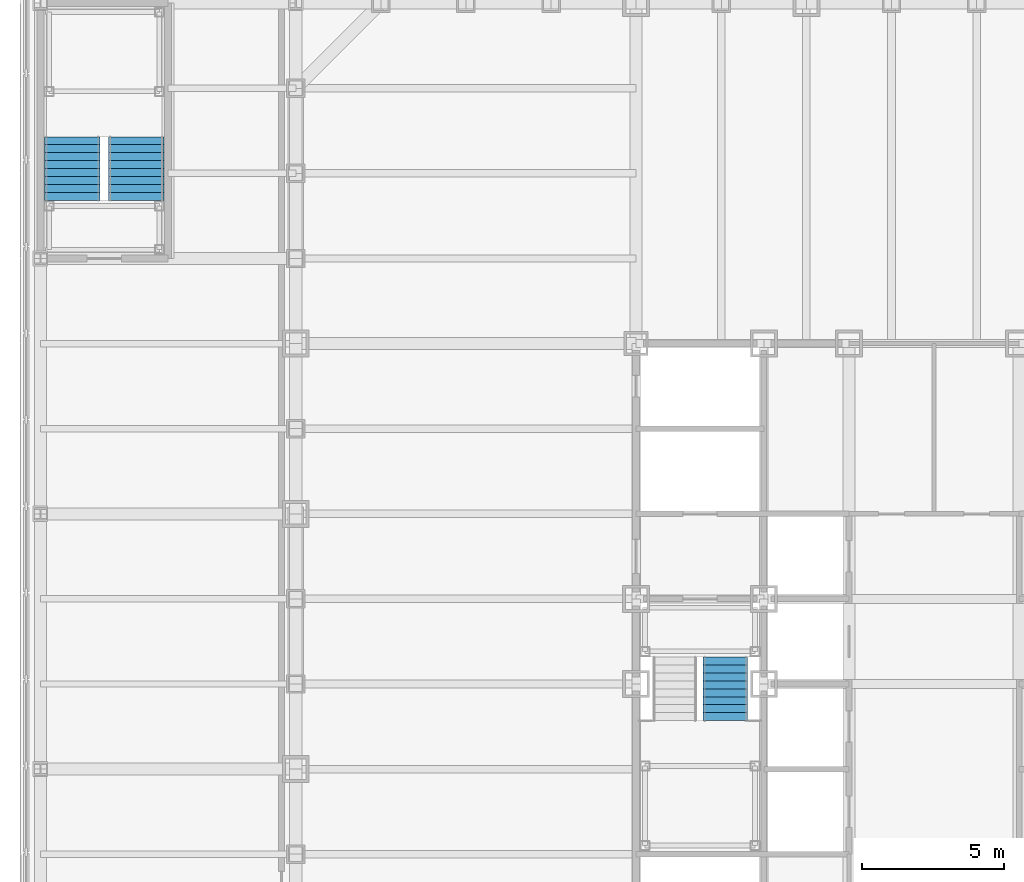
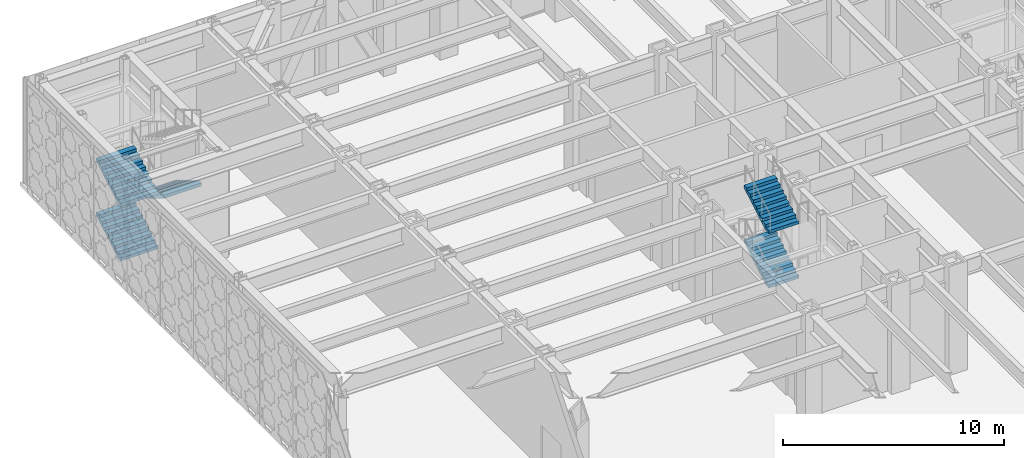
# One storey, part 20 of 32: 5 stair flights, 2 elements without a shape of their own.
"""IFC4 building model written with IfcOpenShell, lengths in metres."""

import ifcopenshell
import ifcopenshell.guid

model = None  # the IFC model being written
_history = None  # IfcOwnerHistory: only IFC2X3 demands one
_inside = {}  # id of a spatial element -> (the spatial element, [elements in it])
_under = {}  # id of a project, library or spatial element -> (it, [spatial elements below it])
_declared = {}  # id of a project -> (the project, [libraries it declares])
_typed = {}  # id of a type object -> (the type object, [elements of that type])
_made_of = {}  # id of a material, layer set ... -> (it, [elements and type objects made of it])


def new_model(schema):
    """Start an empty IFC model of exactly this schema.

    Asked for "IFC4X3", IfcOpenShell would pick the latest addendum, in which some entities
    have other attributes; the version numbers below select the first issue.
    IFC2X3 requires an IfcOwnerHistory on every rooted entity: one is made here for all.
    """
    global model, _history
    if schema == "IFC4X3":
        model = ifcopenshell.file(schema_version=(4, 3, 0, 0))
    else:
        model = ifcopenshell.file(schema=schema)
    _inside.clear()
    _under.clear()
    _declared.clear()
    _typed.clear()
    _made_of.clear()
    _history = None
    if model.schema == "IFC2X3":
        org = make("IfcOrganization", Name="unknown")
        user = make(
            "IfcPersonAndOrganization",
            ThePerson=make("IfcPerson", FamilyName="unknown"),
            TheOrganization=org,
        )
        app = make(
            "IfcApplication",
            ApplicationDeveloper=org,
            Version="unknown",
            ApplicationFullName="unknown",
            ApplicationIdentifier="unknown",
        )
        _history = make(
            "IfcOwnerHistory",
            OwningUser=user,
            OwningApplication=app,
            ChangeAction="ADDED",
            CreationDate=0,
        )
    return model


def make(cls, **values):
    """One entity of the class cls with the attributes given. An attribute that is None is left unset."""
    return model.create_entity(
        cls, **{name: value for name, value in values.items() if value is not None}
    )


def rooted(cls, **values):
    """An entity with a GlobalId (a new one), such as an element, a storey or a relation."""
    return make(cls, GlobalId=ifcopenshell.guid.new(), OwnerHistory=_history, **values)


def si_unit(unit_type, name, prefix=None):
    """IfcSIUnit, for example si_unit("LENGTHUNIT", "METRE", prefix="MILLI")."""
    return make("IfcSIUnit", UnitType=unit_type, Prefix=prefix, Name=name)


def assignment(units):
    """IfcUnitAssignment: the units of a project."""
    return None if units is None else make("IfcUnitAssignment", Units=units)


def point(xyz):
    """IfcCartesianPoint."""
    return None if xyz is None else make("IfcCartesianPoint", Coordinates=xyz)


def direction(xyz):
    """IfcDirection."""
    return None if xyz is None else make("IfcDirection", DirectionRatios=xyz)


def frame(location, z_axis=None, x_axis=None):
    """IfcAxis2Placement3D, a coordinate frame: its origin and axes. An axis left out is left unset."""
    return make(
        "IfcAxis2Placement3D",
        Location=point(location),
        Axis=direction(z_axis),
        RefDirection=direction(x_axis),
    )


def origin():
    """The frame at (0, 0, 0) with its axes left unset."""
    return frame((0.0, 0.0, 0.0))


def place(relative_to, where):
    """IfcLocalPlacement: puts the frame where relative to a parent placement (None: the world)."""
    return make(
        "IfcLocalPlacement", PlacementRelTo=relative_to, RelativePlacement=where
    )


def context(
    kind, dimensions, precision=None, world=None, true_north=None, identifier=None
):
    """IfcGeometricRepresentationContext, for example the 3D "Model" context."""
    return make(
        "IfcGeometricRepresentationContext",
        ContextIdentifier=identifier,
        ContextType=kind,
        CoordinateSpaceDimension=dimensions,
        Precision=precision,
        WorldCoordinateSystem=world,
        TrueNorth=true_north,
    )


def subcontext(parent, identifier, kind, view, scale=None):
    """IfcGeometricRepresentationSubContext, for example "Body" below "Model"."""
    return make(
        "IfcGeometricRepresentationSubContext",
        ContextIdentifier=identifier,
        ContextType=kind,
        ParentContext=parent,
        TargetScale=scale,
        TargetView=view,
    )


def project(units=None, contexts=None):
    """IfcProject with its units and contexts."""
    return rooted(
        "IfcProject",
        Name="project",
        RepresentationContexts=contexts,
        UnitsInContext=assignment(units),
    )


def spatial(cls, under=None, at=None, **own):
    """A site, building, storey or space (cls), placed at a placement, below another one or the project."""
    s = rooted(cls, ObjectPlacement=at, **own)
    if under is not None:
        _under.setdefault(under.id(), (under, []))[1].append(s)
    return s


def faces_of(points, faces, orient=None, outer=None):
    """IfcFace entities. A face is a list of loops; a loop is a list of indices into points, from 0.

    orient and outer hold one flag for each loop. By default every Orientation is true, the
    first loop of a face is its IfcFaceOuterBound and the others are IfcFaceBound.
    """
    made = []
    for i, loops in enumerate(faces):
        bounds = []
        for j, loop in enumerate(loops):
            is_outer = j == 0 if outer is None else outer[i][j]
            bounds.append(
                make(
                    "IfcFaceOuterBound" if is_outer else "IfcFaceBound",
                    Bound=make("IfcPolyLoop", Polygon=[points[k] for k in loop]),
                    Orientation=True if orient is None else orient[i][j],
                )
            )
        made.append(make("IfcFace", Bounds=bounds))
    return made


def faceted_brep(points, faces, orient=None, outer=None, voids=None):
    """IfcFacetedBrep: a solid bounded by flat faces; with voids (closed shells), ...WithVoids."""
    shared = [point(p) for p in points]
    hull = make("IfcClosedShell", CfsFaces=faces_of(shared, faces, orient, outer))
    if voids is None:
        return make("IfcFacetedBrep", Outer=hull)
    return make(
        "IfcFacetedBrepWithVoids",
        Outer=hull,
        Voids=[
            make(cls, CfsFaces=faces_of(shared, fs, o, b)) for cls, fs, o, b in voids
        ],
    )


def shape(context_of_items, identifier, shape_type, items):
    """IfcShapeRepresentation: the items that make up one representation, for example the "Body"."""
    return make(
        "IfcShapeRepresentation",
        ContextOfItems=context_of_items,
        RepresentationIdentifier=identifier,
        RepresentationType=shape_type,
        Items=items,
    )


def material(Name=None, Category=None):
    """IfcMaterial."""
    return make("IfcMaterial", Name=Name, Category=Category)


def made_of(thing, what):
    """Note that an element or type object is made of a material, layer set ...; save() writes the relation."""
    if what is not None:
        _made_of.setdefault(what.id(), (what, []))[1].append(thing)
    return thing


def type_object(cls, material=None, **own):
    """A type object (cls), such as IfcWallType, which elements share."""
    return made_of(rooted(cls, **own), material)


def element(
    cls,
    number,
    at=None,
    inside=None,
    cuts=None,
    type_object=None,
    material=None,
    context=None,
    identifier="Body",
    shape_type=None,
    held_by="IfcProductDefinitionShape",
    body=None,
    shapes=None,
    **own,
):
    """One element of the class cls, such as IfcWall. Its Tag is "e" and its number.

    at: its placement. inside: the storey or other place that contains it. cuts: it is an
    opening in that element (IfcRelVoidsElement). A single representation is given by context,
    identifier, shape_type and body (its items); several are given by shapes. held_by: the class
    of the entity that holds the representations. save() writes the other relations.
    """
    e = rooted(cls, Tag="e%d" % number, ObjectPlacement=at, **own)
    if body is not None:
        shapes = [shape(context, identifier, shape_type, body)]
    if shapes is not None:
        e.Representation = make(held_by, Representations=shapes)
    if inside is not None:
        _inside.setdefault(inside.id(), (inside, []))[1].append(e)
    if cuts is not None:
        rooted(
            "IfcRelVoidsElement", RelatingBuildingElement=cuts, RelatedOpeningElement=e
        )
    if type_object is not None:
        _typed.setdefault(type_object.id(), (type_object, []))[1].append(e)
    return made_of(e, material)


def aggregate(whole, parts):
    """IfcRelAggregates: a whole, such as a stair, and the parts it consists of."""
    return rooted("IfcRelAggregates", RelatingObject=whole, RelatedObjects=parts)


def save(model, path):
    """Write the relations noted so far, then the file.

    IfcRelAggregates (storeys below a building ...), IfcRelContainedInSpatialStructure (elements
    in a storey), IfcRelDefinesByType, IfcRelAssociatesMaterial and IfcRelDeclares: one each for
    every whole, place, type object, material and project.
    """
    for whole, parts in _under.values():
        aggregate(whole, parts)
    for where, things in _inside.values():
        rooted(
            "IfcRelContainedInSpatialStructure",
            RelatedElements=things,
            RelatingStructure=where,
        )
    for kind, things in _typed.values():
        rooted("IfcRelDefinesByType", RelatedObjects=things, RelatingType=kind)
    for what, things in _made_of.values():
        rooted("IfcRelAssociatesMaterial", RelatedObjects=things, RelatingMaterial=what)
    for by, libraries in _declared.values():
        rooted("IfcRelDeclares", RelatingContext=by, RelatedDefinitions=libraries)
    model.write(path)


model = new_model("IFC4")

# Units and contexts
model_context = context("Model", 3, precision=1e-05, world=origin(), true_north=direction((0.0, 1.0)))
body_context = subcontext(model_context, "Body", "Model", "MODEL_VIEW")
ifc_project = project(units=[si_unit("LENGTHUNIT", "METRE"), si_unit("AREAUNIT", "SQUARE_METRE"), si_unit("VOLUMEUNIT", "CUBIC_METRE"), si_unit("PLANEANGLEUNIT", "RADIAN"), si_unit("MASSUNIT", "GRAM", prefix="KILO")], contexts=[model_context])

# Site, building, storey
site_placement = place(None, origin())
site = spatial("IfcSite", under=ifc_project, at=site_placement, CompositionType="ELEMENT")
building_placement = place(site_placement, origin())
building = spatial("IfcBuilding", under=site, at=building_placement, Name="Chuquiago Exchange Tower", CompositionType="ELEMENT")
storey_placement = place(building_placement, frame((0.0, 0.0, 13.5)))
storey = spatial("IfcBuildingStorey", under=building, at=storey_placement, Name="L02", CompositionType="ELEMENT", Elevation=13.5)

# Stair, stair flights
ifc_material_1 = material(Name="Concrete C30/37, precast", Category="concrete")
stair_type_1 = type_object("IfcStairType", Name="ST1 double half-turn stair 6000", PredefinedType="DOUBLE_RETURN_STAIR", material=ifc_material_1)
stair_1_placement = place(storey_placement, origin())
stair_1 = element("IfcStair", 1, at=stair_1_placement, inside=storey, type_object=stair_type_1, Name="Stair ST1 L02", PredefinedType="DOUBLE_RETURN_STAIR")
ifc_material_2 = material(Name="Concrete C30/37, precast", Category="concrete")
stair_flight_type_1 = type_object("IfcStairFlightType", Name="ST-F flight 1570 for 6000 storey", PredefinedType="STRAIGHT", material=ifc_material_2)
stair_flight_1_placement = place(storey_placement, frame((15.139892578125, 19.7099609375, 1.5), z_axis=(0.0, 0.0, 1.0), x_axis=(0.0, 1.0, 0.0)))
stair_flight_1 = element("IfcStairFlight", 2, at=stair_flight_1_placement, type_object=stair_flight_type_1, Name="ST1 flight 2", NumberOfRisers=9, NumberOfTreads=8, PredefinedType="STRAIGHT", RiserHeight=0.166666667, TreadLength=0.28, context=body_context, shape_type="Brep", body=[
    faceted_brep([(0.0, 0.78515625, 0.0), (0.0, 0.78515625, 0.166748046875), (0.280029296875, 0.78515625, 0.166748046875), (0.280029296875, 0.78515625, 0.333251953125), (0.56005859375, 0.78515625, 0.333251953125), (0.56005859375, 0.78515625, 0.5), (0.840087890625, 0.78515625, 0.5), (0.840087890625, 0.78515625, 0.666748046875), (1.1201171875, 0.78515625, 0.666748046875), (1.1201171875, 0.78515625, 0.833251953125), (1.39990234375, 0.78515625, 0.833251953125), (1.39990234375, 0.78515625, 1.0), (1.679931640625, 0.78515625, 1.0), (1.679931640625, 0.78515625, 1.166748046875), (1.9599609375, 0.78515625, 1.166748046875), (1.9599609375, 0.78515625, 1.333251953125), (2.239990234375, 0.78515625, 1.333251953125), (2.239990234375, 0.78515625, 1.158935546875), (0.29296875, 0.78515625, 0.0), (0.29296875, -0.78515625, 0.0), (2.239990234375, -0.78515625, 1.158935546875), (2.239990234375, -0.78515625, 1.333251953125), (1.9599609375, -0.78515625, 1.333251953125), (1.9599609375, -0.78515625, 1.166748046875), (1.679931640625, -0.78515625, 1.166748046875), (1.679931640625, -0.78515625, 1.0), (1.39990234375, -0.78515625, 1.0), (1.39990234375, -0.78515625, 0.833251953125), (1.1201171875, -0.78515625, 0.833251953125), (1.1201171875, -0.78515625, 0.666748046875), (0.840087890625, -0.78515625, 0.666748046875), (0.840087890625, -0.78515625, 0.5), (0.56005859375, -0.78515625, 0.5), (0.56005859375, -0.78515625, 0.333251953125), (0.280029296875, -0.78515625, 0.333251953125), (0.280029296875, -0.78515625, 0.166748046875), (0.0, -0.78515625, 0.166748046875), (0.0, -0.78515625, 0.0), (0.0, 0.392578125, 0.0), (0.0, 0.392578125, 0.166748046875), (0.0, 0.0, 0.0), (0.0, 0.0, 0.166748046875), (0.0, -0.392578125, 0.0), (0.0, -0.392578125, 0.166748046875), (0.280029296875, 0.392578125, 0.166748046875), (0.280029296875, 0.0, 0.166748046875), (0.280029296875, -0.392578125, 0.166748046875), (0.280029296875, 0.392578125, 0.333251953125), (0.280029296875, 0.0, 0.333251953125), (0.280029296875, -0.392578125, 0.333251953125), (0.56005859375, 0.392578125, 0.333251953125), (0.56005859375, 0.0, 0.333251953125), (0.56005859375, -0.392578125, 0.333251953125), (0.56005859375, 0.392578125, 0.5), (0.56005859375, 0.0, 0.5), (0.56005859375, -0.392578125, 0.5), (0.840087890625, 0.392578125, 0.5), (0.840087890625, 0.0, 0.5), (0.840087890625, -0.392578125, 0.5), (0.840087890625, 0.392578125, 0.666748046875), (0.840087890625, 0.0, 0.666748046875), (0.840087890625, -0.392578125, 0.666748046875), (1.1201171875, 0.392578125, 0.666748046875), (1.1201171875, 0.0, 0.666748046875), (1.1201171875, -0.392578125, 0.666748046875), (1.1201171875, 0.392578125, 0.833251953125), (1.1201171875, 0.0, 0.833251953125), (1.1201171875, -0.392578125, 0.833251953125), (1.39990234375, 0.392578125, 0.833251953125), (1.39990234375, 0.0, 0.833251953125), (1.39990234375, -0.392578125, 0.833251953125), (1.39990234375, 0.392578125, 1.0), (1.39990234375, 0.0, 1.0), (1.39990234375, -0.392578125, 1.0), (1.679931640625, 0.392578125, 1.0), (1.679931640625, 0.0, 1.0), (1.679931640625, -0.392578125, 1.0), (1.679931640625, 0.392578125, 1.166748046875), (1.679931640625, 0.0, 1.166748046875), (1.679931640625, -0.392578125, 1.166748046875), (1.9599609375, 0.392578125, 1.166748046875), (1.9599609375, 0.0, 1.166748046875), (1.9599609375, -0.392578125, 1.166748046875), (1.9599609375, 0.392578125, 1.333251953125), (1.9599609375, 0.0, 1.333251953125), (1.9599609375, -0.392578125, 1.333251953125), (2.239990234375, 0.392578125, 1.333251953125), (2.239990234375, 0.0, 1.333251953125), (2.239990234375, -0.392578125, 1.333251953125), (2.239990234375, 0.392578125, 1.158935546875), (2.239990234375, 0.0, 1.158935546875), (2.239990234375, -0.392578125, 1.158935546875), (0.29296875, 0.392578125, 0.0), (0.29296875, 0.0, 0.0), (0.29296875, -0.392578125, 0.0)], [[[0, 1, 2, 3, 4, 5, 6, 7, 8, 9, 10, 11, 12, 13, 14, 15, 16, 17, 18]], [[19, 20, 21, 22, 23, 24, 25, 26, 27, 28, 29, 30, 31, 32, 33, 34, 35, 36, 37]], [[1, 0, 38, 39]], [[39, 38, 40, 41]], [[41, 40, 42, 43]], [[43, 42, 37, 36]], [[2, 1, 39, 44]], [[44, 39, 41, 45]], [[45, 41, 43, 46]], [[46, 43, 36, 35]], [[3, 2, 44, 47]], [[47, 44, 45, 48]], [[48, 45, 46, 49]], [[49, 46, 35, 34]], [[4, 3, 47, 50]], [[50, 47, 48, 51]], [[51, 48, 49, 52]], [[52, 49, 34, 33]], [[5, 4, 50, 53]], [[53, 50, 51, 54]], [[54, 51, 52, 55]], [[55, 52, 33, 32]], [[6, 5, 53, 56]], [[56, 53, 54, 57]], [[57, 54, 55, 58]], [[58, 55, 32, 31]], [[7, 6, 56, 59]], [[59, 56, 57, 60]], [[60, 57, 58, 61]], [[61, 58, 31, 30]], [[8, 7, 59, 62]], [[62, 59, 60, 63]], [[63, 60, 61, 64]], [[64, 61, 30, 29]], [[9, 8, 62, 65]], [[65, 62, 63, 66]], [[66, 63, 64, 67]], [[67, 64, 29, 28]], [[10, 9, 65, 68]], [[68, 65, 66, 69]], [[69, 66, 67, 70]], [[70, 67, 28, 27]], [[11, 10, 68, 71]], [[71, 68, 69, 72]], [[72, 69, 70, 73]], [[73, 70, 27, 26]], [[12, 11, 71, 74]], [[74, 71, 72, 75]], [[75, 72, 73, 76]], [[76, 73, 26, 25]], [[13, 12, 74, 77]], [[77, 74, 75, 78]], [[78, 75, 76, 79]], [[79, 76, 25, 24]], [[14, 13, 77, 80]], [[80, 77, 78, 81]], [[81, 78, 79, 82]], [[82, 79, 24, 23]], [[15, 14, 80, 83]], [[83, 80, 81, 84]], [[84, 81, 82, 85]], [[85, 82, 23, 22]], [[16, 15, 83, 86]], [[86, 83, 84, 87]], [[87, 84, 85, 88]], [[88, 85, 22, 21]], [[17, 16, 86, 89]], [[89, 86, 87, 90]], [[90, 87, 88, 91]], [[91, 88, 21, 20]], [[18, 17, 89, 92]], [[92, 89, 90, 93]], [[93, 90, 91, 94]], [[94, 91, 20, 19]], [[0, 18, 92, 38]], [[38, 92, 93, 40]], [[40, 93, 94, 42]], [[42, 94, 19, 37]]]),
])
stair_flight_2_placement = place(storey_placement, frame((15.139892578125, 19.7099609375, 4.5), z_axis=(0.0, 0.0, 1.0), x_axis=(0.0, 1.0, 0.0)))
stair_flight_2 = element("IfcStairFlight", 3, at=stair_flight_2_placement, type_object=stair_flight_type_1, Name="ST1 flight 4", NumberOfRisers=9, NumberOfTreads=8, PredefinedType="STRAIGHT", RiserHeight=0.166666667, TreadLength=0.28, context=body_context, shape_type="Brep", body=[
    faceted_brep([(0.0, 0.78515625, 0.0), (0.0, 0.78515625, 0.166748046875), (0.280029296875, 0.78515625, 0.166748046875), (0.280029296875, 0.78515625, 0.333251953125), (0.56005859375, 0.78515625, 0.333251953125), (0.56005859375, 0.78515625, 0.5), (0.840087890625, 0.78515625, 0.5), (0.840087890625, 0.78515625, 0.666748046875), (1.1201171875, 0.78515625, 0.666748046875), (1.1201171875, 0.78515625, 0.833251953125), (1.39990234375, 0.78515625, 0.833251953125), (1.39990234375, 0.78515625, 1.0), (1.679931640625, 0.78515625, 1.0), (1.679931640625, 0.78515625, 1.166748046875), (1.9599609375, 0.78515625, 1.166748046875), (1.9599609375, 0.78515625, 1.333251953125), (2.239990234375, 0.78515625, 1.333251953125), (2.239990234375, 0.78515625, 1.158935546875), (0.29296875, 0.78515625, 0.0), (0.29296875, -0.78515625, 0.0), (2.239990234375, -0.78515625, 1.158935546875), (2.239990234375, -0.78515625, 1.333251953125), (1.9599609375, -0.78515625, 1.333251953125), (1.9599609375, -0.78515625, 1.166748046875), (1.679931640625, -0.78515625, 1.166748046875), (1.679931640625, -0.78515625, 1.0), (1.39990234375, -0.78515625, 1.0), (1.39990234375, -0.78515625, 0.833251953125), (1.1201171875, -0.78515625, 0.833251953125), (1.1201171875, -0.78515625, 0.666748046875), (0.840087890625, -0.78515625, 0.666748046875), (0.840087890625, -0.78515625, 0.5), (0.56005859375, -0.78515625, 0.5), (0.56005859375, -0.78515625, 0.333251953125), (0.280029296875, -0.78515625, 0.333251953125), (0.280029296875, -0.78515625, 0.166748046875), (0.0, -0.78515625, 0.166748046875), (0.0, -0.78515625, 0.0), (0.0, 0.392578125, 0.0), (0.0, 0.392578125, 0.166748046875), (0.0, 0.0, 0.0), (0.0, 0.0, 0.166748046875), (0.0, -0.392578125, 0.0), (0.0, -0.392578125, 0.166748046875), (0.280029296875, 0.392578125, 0.166748046875), (0.280029296875, 0.0, 0.166748046875), (0.280029296875, -0.392578125, 0.166748046875), (0.280029296875, 0.392578125, 0.333251953125), (0.280029296875, 0.0, 0.333251953125), (0.280029296875, -0.392578125, 0.333251953125), (0.56005859375, 0.392578125, 0.333251953125), (0.56005859375, 0.0, 0.333251953125), (0.56005859375, -0.392578125, 0.333251953125), (0.56005859375, 0.392578125, 0.5), (0.56005859375, 0.0, 0.5), (0.56005859375, -0.392578125, 0.5), (0.840087890625, 0.392578125, 0.5), (0.840087890625, 0.0, 0.5), (0.840087890625, -0.392578125, 0.5), (0.840087890625, 0.392578125, 0.666748046875), (0.840087890625, 0.0, 0.666748046875), (0.840087890625, -0.392578125, 0.666748046875), (1.1201171875, 0.392578125, 0.666748046875), (1.1201171875, 0.0, 0.666748046875), (1.1201171875, -0.392578125, 0.666748046875), (1.1201171875, 0.392578125, 0.833251953125), (1.1201171875, 0.0, 0.833251953125), (1.1201171875, -0.392578125, 0.833251953125), (1.39990234375, 0.392578125, 0.833251953125), (1.39990234375, 0.0, 0.833251953125), (1.39990234375, -0.392578125, 0.833251953125), (1.39990234375, 0.392578125, 1.0), (1.39990234375, 0.0, 1.0), (1.39990234375, -0.392578125, 1.0), (1.679931640625, 0.392578125, 1.0), (1.679931640625, 0.0, 1.0), (1.679931640625, -0.392578125, 1.0), (1.679931640625, 0.392578125, 1.166748046875), (1.679931640625, 0.0, 1.166748046875), (1.679931640625, -0.392578125, 1.166748046875), (1.9599609375, 0.392578125, 1.166748046875), (1.9599609375, 0.0, 1.166748046875), (1.9599609375, -0.392578125, 1.166748046875), (1.9599609375, 0.392578125, 1.333251953125), (1.9599609375, 0.0, 1.333251953125), (1.9599609375, -0.392578125, 1.333251953125), (2.239990234375, 0.392578125, 1.333251953125), (2.239990234375, 0.0, 1.333251953125), (2.239990234375, -0.392578125, 1.333251953125), (2.239990234375, 0.392578125, 1.158935546875), (2.239990234375, 0.0, 1.158935546875), (2.239990234375, -0.392578125, 1.158935546875), (0.29296875, 0.392578125, 0.0), (0.29296875, 0.0, 0.0), (0.29296875, -0.392578125, 0.0)], [[[0, 1, 2, 3, 4, 5, 6, 7, 8, 9, 10, 11, 12, 13, 14, 15, 16, 17, 18]], [[19, 20, 21, 22, 23, 24, 25, 26, 27, 28, 29, 30, 31, 32, 33, 34, 35, 36, 37]], [[1, 0, 38, 39]], [[39, 38, 40, 41]], [[41, 40, 42, 43]], [[43, 42, 37, 36]], [[2, 1, 39, 44]], [[44, 39, 41, 45]], [[45, 41, 43, 46]], [[46, 43, 36, 35]], [[3, 2, 44, 47]], [[47, 44, 45, 48]], [[48, 45, 46, 49]], [[49, 46, 35, 34]], [[4, 3, 47, 50]], [[50, 47, 48, 51]], [[51, 48, 49, 52]], [[52, 49, 34, 33]], [[5, 4, 50, 53]], [[53, 50, 51, 54]], [[54, 51, 52, 55]], [[55, 52, 33, 32]], [[6, 5, 53, 56]], [[56, 53, 54, 57]], [[57, 54, 55, 58]], [[58, 55, 32, 31]], [[7, 6, 56, 59]], [[59, 56, 57, 60]], [[60, 57, 58, 61]], [[61, 58, 31, 30]], [[8, 7, 59, 62]], [[62, 59, 60, 63]], [[63, 60, 61, 64]], [[64, 61, 30, 29]], [[9, 8, 62, 65]], [[65, 62, 63, 66]], [[66, 63, 64, 67]], [[67, 64, 29, 28]], [[10, 9, 65, 68]], [[68, 65, 66, 69]], [[69, 66, 67, 70]], [[70, 67, 28, 27]], [[11, 10, 68, 71]], [[71, 68, 69, 72]], [[72, 69, 70, 73]], [[73, 70, 27, 26]], [[12, 11, 71, 74]], [[74, 71, 72, 75]], [[75, 72, 73, 76]], [[76, 73, 26, 25]], [[13, 12, 74, 77]], [[77, 74, 75, 78]], [[78, 75, 76, 79]], [[79, 76, 25, 24]], [[14, 13, 77, 80]], [[80, 77, 78, 81]], [[81, 78, 79, 82]], [[82, 79, 24, 23]], [[15, 14, 80, 83]], [[83, 80, 81, 84]], [[84, 81, 82, 85]], [[85, 82, 23, 22]], [[16, 15, 83, 86]], [[86, 83, 84, 87]], [[87, 84, 85, 88]], [[88, 85, 22, 21]], [[17, 16, 86, 89]], [[89, 86, 87, 90]], [[90, 87, 88, 91]], [[91, 88, 21, 20]], [[18, 17, 89, 92]], [[92, 89, 90, 93]], [[93, 90, 91, 94]], [[94, 91, 20, 19]], [[0, 18, 92, 38]], [[38, 92, 93, 40]], [[40, 93, 94, 42]], [[42, 94, 19, 37]]]),
])
aggregate(stair_1, [stair_flight_1, stair_flight_2])

ifc_material_3 = material(Name="Concrete C30/37, precast", Category="concrete")
stair_type_2 = type_object("IfcStairType", Name="PS3 double half-turn stair 6000", PredefinedType="DOUBLE_RETURN_STAIR", material=ifc_material_3)
stair_2_placement = place(storey_placement, origin())
stair_2 = element("IfcStair", 4, at=stair_2_placement, inside=storey, type_object=stair_type_2, Name="Stair PS3 L02", PredefinedType="DOUBLE_RETURN_STAIR")
ifc_material_4 = material(Name="Concrete C30/37, precast", Category="concrete")
stair_flight_type_2 = type_object("IfcStairFlightType", Name="ST-F flight 1950 for 6000 storey", PredefinedType="STRAIGHT", material=ifc_material_4)
stair_flight_3_placement = place(storey_placement, frame((-7.875, 38.050048828125, 0.0), z_axis=(0.0, 0.0, 1.0), x_axis=(0.0, 1.0, 0.0)))
stair_flight_3 = element("IfcStairFlight", 5, at=stair_flight_3_placement, type_object=stair_flight_type_2, Name="PS3 flight 1", NumberOfRisers=9, NumberOfTreads=8, PredefinedType="STRAIGHT", RiserHeight=0.166666667, TreadLength=0.28, context=body_context, shape_type="Brep", body=[
    faceted_brep([(0.0, 0.97509765625, 0.0), (0.0, 0.97509765625, 0.166748046875), (0.280029296875, 0.97509765625, 0.166748046875), (0.280029296875, 0.97509765625, 0.333251953125), (0.56005859375, 0.97509765625, 0.333251953125), (0.56005859375, 0.97509765625, 0.5), (0.840087890625, 0.97509765625, 0.5), (0.840087890625, 0.97509765625, 0.666748046875), (1.1201171875, 0.97509765625, 0.666748046875), (1.1201171875, 0.97509765625, 0.833251953125), (1.39990234375, 0.97509765625, 0.833251953125), (1.39990234375, 0.97509765625, 1.0), (1.679931640625, 0.97509765625, 1.0), (1.679931640625, 0.97509765625, 1.166748046875), (1.9599609375, 0.97509765625, 1.166748046875), (1.9599609375, 0.97509765625, 1.333251953125), (2.239990234375, 0.97509765625, 1.333251953125), (2.239990234375, 0.97509765625, 1.158935546875), (0.29296875, 0.97509765625, 0.0), (0.29296875, -0.97509765625, 0.0), (2.239990234375, -0.97509765625, 1.158935546875), (2.239990234375, -0.97509765625, 1.333251953125), (1.9599609375, -0.97509765625, 1.333251953125), (1.9599609375, -0.97509765625, 1.166748046875), (1.679931640625, -0.97509765625, 1.166748046875), (1.679931640625, -0.97509765625, 1.0), (1.39990234375, -0.97509765625, 1.0), (1.39990234375, -0.97509765625, 0.833251953125), (1.1201171875, -0.97509765625, 0.833251953125), (1.1201171875, -0.97509765625, 0.666748046875), (0.840087890625, -0.97509765625, 0.666748046875), (0.840087890625, -0.97509765625, 0.5), (0.56005859375, -0.97509765625, 0.5), (0.56005859375, -0.97509765625, 0.333251953125), (0.280029296875, -0.97509765625, 0.333251953125), (0.280029296875, -0.97509765625, 0.166748046875), (0.0, -0.97509765625, 0.166748046875), (0.0, -0.97509765625, 0.0), (0.0, 0.487548828125, 0.0), (0.0, 0.487548828125, 0.166748046875), (0.0, 0.0, 0.0), (0.0, 0.0, 0.166748046875), (0.0, -0.487548828125, 0.0), (0.0, -0.487548828125, 0.166748046875), (0.280029296875, 0.487548828125, 0.166748046875), (0.280029296875, 0.0, 0.166748046875), (0.280029296875, -0.487548828125, 0.166748046875), (0.280029296875, 0.487548828125, 0.333251953125), (0.280029296875, 0.0, 0.333251953125), (0.280029296875, -0.487548828125, 0.333251953125), (0.56005859375, 0.487548828125, 0.333251953125), (0.56005859375, 0.0, 0.333251953125), (0.56005859375, -0.487548828125, 0.333251953125), (0.56005859375, 0.487548828125, 0.5), (0.56005859375, 0.0, 0.5), (0.56005859375, -0.487548828125, 0.5), (0.840087890625, 0.487548828125, 0.5), (0.840087890625, 0.0, 0.5), (0.840087890625, -0.487548828125, 0.5), (0.840087890625, 0.487548828125, 0.666748046875), (0.840087890625, 0.0, 0.666748046875), (0.840087890625, -0.487548828125, 0.666748046875), (1.1201171875, 0.487548828125, 0.666748046875), (1.1201171875, 0.0, 0.666748046875), (1.1201171875, -0.487548828125, 0.666748046875), (1.1201171875, 0.487548828125, 0.833251953125), (1.1201171875, 0.0, 0.833251953125), (1.1201171875, -0.487548828125, 0.833251953125), (1.39990234375, 0.487548828125, 0.833251953125), (1.39990234375, 0.0, 0.833251953125), (1.39990234375, -0.487548828125, 0.833251953125), (1.39990234375, 0.487548828125, 1.0), (1.39990234375, 0.0, 1.0), (1.39990234375, -0.487548828125, 1.0), (1.679931640625, 0.487548828125, 1.0), (1.679931640625, 0.0, 1.0), (1.679931640625, -0.487548828125, 1.0), (1.679931640625, 0.487548828125, 1.166748046875), (1.679931640625, 0.0, 1.166748046875), (1.679931640625, -0.487548828125, 1.166748046875), (1.9599609375, 0.487548828125, 1.166748046875), (1.9599609375, 0.0, 1.166748046875), (1.9599609375, -0.487548828125, 1.166748046875), (1.9599609375, 0.487548828125, 1.333251953125), (1.9599609375, 0.0, 1.333251953125), (1.9599609375, -0.487548828125, 1.333251953125), (2.239990234375, 0.487548828125, 1.333251953125), (2.239990234375, 0.0, 1.333251953125), (2.239990234375, -0.487548828125, 1.333251953125), (2.239990234375, 0.487548828125, 1.158935546875), (2.239990234375, 0.0, 1.158935546875), (2.239990234375, -0.487548828125, 1.158935546875), (0.29296875, 0.487548828125, 0.0), (0.29296875, 0.0, 0.0), (0.29296875, -0.487548828125, 0.0)], [[[0, 1, 2, 3, 4, 5, 6, 7, 8, 9, 10, 11, 12, 13, 14, 15, 16, 17, 18]], [[19, 20, 21, 22, 23, 24, 25, 26, 27, 28, 29, 30, 31, 32, 33, 34, 35, 36, 37]], [[1, 0, 38, 39]], [[39, 38, 40, 41]], [[41, 40, 42, 43]], [[43, 42, 37, 36]], [[2, 1, 39, 44]], [[44, 39, 41, 45]], [[45, 41, 43, 46]], [[46, 43, 36, 35]], [[3, 2, 44, 47]], [[47, 44, 45, 48]], [[48, 45, 46, 49]], [[49, 46, 35, 34]], [[4, 3, 47, 50]], [[50, 47, 48, 51]], [[51, 48, 49, 52]], [[52, 49, 34, 33]], [[5, 4, 50, 53]], [[53, 50, 51, 54]], [[54, 51, 52, 55]], [[55, 52, 33, 32]], [[6, 5, 53, 56]], [[56, 53, 54, 57]], [[57, 54, 55, 58]], [[58, 55, 32, 31]], [[7, 6, 56, 59]], [[59, 56, 57, 60]], [[60, 57, 58, 61]], [[61, 58, 31, 30]], [[8, 7, 59, 62]], [[62, 59, 60, 63]], [[63, 60, 61, 64]], [[64, 61, 30, 29]], [[9, 8, 62, 65]], [[65, 62, 63, 66]], [[66, 63, 64, 67]], [[67, 64, 29, 28]], [[10, 9, 65, 68]], [[68, 65, 66, 69]], [[69, 66, 67, 70]], [[70, 67, 28, 27]], [[11, 10, 68, 71]], [[71, 68, 69, 72]], [[72, 69, 70, 73]], [[73, 70, 27, 26]], [[12, 11, 71, 74]], [[74, 71, 72, 75]], [[75, 72, 73, 76]], [[76, 73, 26, 25]], [[13, 12, 74, 77]], [[77, 74, 75, 78]], [[78, 75, 76, 79]], [[79, 76, 25, 24]], [[14, 13, 77, 80]], [[80, 77, 78, 81]], [[81, 78, 79, 82]], [[82, 79, 24, 23]], [[15, 14, 80, 83]], [[83, 80, 81, 84]], [[84, 81, 82, 85]], [[85, 82, 23, 22]], [[16, 15, 83, 86]], [[86, 83, 84, 87]], [[87, 84, 85, 88]], [[88, 85, 22, 21]], [[17, 16, 86, 89]], [[89, 86, 87, 90]], [[90, 87, 88, 91]], [[91, 88, 21, 20]], [[18, 17, 89, 92]], [[92, 89, 90, 93]], [[93, 90, 91, 94]], [[94, 91, 20, 19]], [[0, 18, 92, 38]], [[38, 92, 93, 40]], [[40, 93, 94, 42]], [[42, 94, 19, 37]]]),
])
stair_flight_4_placement = place(storey_placement, frame((-5.625, 40.2900390625, 1.5), z_axis=(0.0, 0.0, 1.0), x_axis=(0.0, -1.0, 0.0)))
stair_flight_4 = element("IfcStairFlight", 6, at=stair_flight_4_placement, type_object=stair_flight_type_2, Name="PS3 flight 2", NumberOfRisers=9, NumberOfTreads=8, PredefinedType="STRAIGHT", RiserHeight=0.166666667, TreadLength=0.28, context=body_context, shape_type="Brep", body=[
    faceted_brep([(0.0, 0.97509765625, 0.0), (0.0, 0.97509765625, 0.166748046875), (0.280029296875, 0.97509765625, 0.166748046875), (0.280029296875, 0.97509765625, 0.333251953125), (0.56005859375, 0.97509765625, 0.333251953125), (0.56005859375, 0.97509765625, 0.5), (0.840087890625, 0.97509765625, 0.5), (0.840087890625, 0.97509765625, 0.666748046875), (1.1201171875, 0.97509765625, 0.666748046875), (1.1201171875, 0.97509765625, 0.833251953125), (1.39990234375, 0.97509765625, 0.833251953125), (1.39990234375, 0.97509765625, 1.0), (1.679931640625, 0.97509765625, 1.0), (1.679931640625, 0.97509765625, 1.166748046875), (1.9599609375, 0.97509765625, 1.166748046875), (1.9599609375, 0.97509765625, 1.333251953125), (2.239990234375, 0.97509765625, 1.333251953125), (2.239990234375, 0.97509765625, 1.158935546875), (0.29296875, 0.97509765625, 0.0), (0.29296875, -0.97509765625, 0.0), (2.239990234375, -0.97509765625, 1.158935546875), (2.239990234375, -0.97509765625, 1.333251953125), (1.9599609375, -0.97509765625, 1.333251953125), (1.9599609375, -0.97509765625, 1.166748046875), (1.679931640625, -0.97509765625, 1.166748046875), (1.679931640625, -0.97509765625, 1.0), (1.39990234375, -0.97509765625, 1.0), (1.39990234375, -0.97509765625, 0.833251953125), (1.1201171875, -0.97509765625, 0.833251953125), (1.1201171875, -0.97509765625, 0.666748046875), (0.840087890625, -0.97509765625, 0.666748046875), (0.840087890625, -0.97509765625, 0.5), (0.56005859375, -0.97509765625, 0.5), (0.56005859375, -0.97509765625, 0.333251953125), (0.280029296875, -0.97509765625, 0.333251953125), (0.280029296875, -0.97509765625, 0.166748046875), (0.0, -0.97509765625, 0.166748046875), (0.0, -0.97509765625, 0.0), (0.0, 0.487548828125, 0.0), (0.0, 0.487548828125, 0.166748046875), (0.0, 0.0, 0.0), (0.0, 0.0, 0.166748046875), (0.0, -0.487548828125, 0.0), (0.0, -0.487548828125, 0.166748046875), (0.280029296875, 0.487548828125, 0.166748046875), (0.280029296875, 0.0, 0.166748046875), (0.280029296875, -0.487548828125, 0.166748046875), (0.280029296875, 0.487548828125, 0.333251953125), (0.280029296875, 0.0, 0.333251953125), (0.280029296875, -0.487548828125, 0.333251953125), (0.56005859375, 0.487548828125, 0.333251953125), (0.56005859375, 0.0, 0.333251953125), (0.56005859375, -0.487548828125, 0.333251953125), (0.56005859375, 0.487548828125, 0.5), (0.56005859375, 0.0, 0.5), (0.56005859375, -0.487548828125, 0.5), (0.840087890625, 0.487548828125, 0.5), (0.840087890625, 0.0, 0.5), (0.840087890625, -0.487548828125, 0.5), (0.840087890625, 0.487548828125, 0.666748046875), (0.840087890625, 0.0, 0.666748046875), (0.840087890625, -0.487548828125, 0.666748046875), (1.1201171875, 0.487548828125, 0.666748046875), (1.1201171875, 0.0, 0.666748046875), (1.1201171875, -0.487548828125, 0.666748046875), (1.1201171875, 0.487548828125, 0.833251953125), (1.1201171875, 0.0, 0.833251953125), (1.1201171875, -0.487548828125, 0.833251953125), (1.39990234375, 0.487548828125, 0.833251953125), (1.39990234375, 0.0, 0.833251953125), (1.39990234375, -0.487548828125, 0.833251953125), (1.39990234375, 0.487548828125, 1.0), (1.39990234375, 0.0, 1.0), (1.39990234375, -0.487548828125, 1.0), (1.679931640625, 0.487548828125, 1.0), (1.679931640625, 0.0, 1.0), (1.679931640625, -0.487548828125, 1.0), (1.679931640625, 0.487548828125, 1.166748046875), (1.679931640625, 0.0, 1.166748046875), (1.679931640625, -0.487548828125, 1.166748046875), (1.9599609375, 0.487548828125, 1.166748046875), (1.9599609375, 0.0, 1.166748046875), (1.9599609375, -0.487548828125, 1.166748046875), (1.9599609375, 0.487548828125, 1.333251953125), (1.9599609375, 0.0, 1.333251953125), (1.9599609375, -0.487548828125, 1.333251953125), (2.239990234375, 0.487548828125, 1.333251953125), (2.239990234375, 0.0, 1.333251953125), (2.239990234375, -0.487548828125, 1.333251953125), (2.239990234375, 0.487548828125, 1.158935546875), (2.239990234375, 0.0, 1.158935546875), (2.239990234375, -0.487548828125, 1.158935546875), (0.29296875, 0.487548828125, 0.0), (0.29296875, 0.0, 0.0), (0.29296875, -0.487548828125, 0.0)], [[[0, 1, 2, 3, 4, 5, 6, 7, 8, 9, 10, 11, 12, 13, 14, 15, 16, 17, 18]], [[19, 20, 21, 22, 23, 24, 25, 26, 27, 28, 29, 30, 31, 32, 33, 34, 35, 36, 37]], [[1, 0, 38, 39]], [[39, 38, 40, 41]], [[41, 40, 42, 43]], [[43, 42, 37, 36]], [[2, 1, 39, 44]], [[44, 39, 41, 45]], [[45, 41, 43, 46]], [[46, 43, 36, 35]], [[3, 2, 44, 47]], [[47, 44, 45, 48]], [[48, 45, 46, 49]], [[49, 46, 35, 34]], [[4, 3, 47, 50]], [[50, 47, 48, 51]], [[51, 48, 49, 52]], [[52, 49, 34, 33]], [[5, 4, 50, 53]], [[53, 50, 51, 54]], [[54, 51, 52, 55]], [[55, 52, 33, 32]], [[6, 5, 53, 56]], [[56, 53, 54, 57]], [[57, 54, 55, 58]], [[58, 55, 32, 31]], [[7, 6, 56, 59]], [[59, 56, 57, 60]], [[60, 57, 58, 61]], [[61, 58, 31, 30]], [[8, 7, 59, 62]], [[62, 59, 60, 63]], [[63, 60, 61, 64]], [[64, 61, 30, 29]], [[9, 8, 62, 65]], [[65, 62, 63, 66]], [[66, 63, 64, 67]], [[67, 64, 29, 28]], [[10, 9, 65, 68]], [[68, 65, 66, 69]], [[69, 66, 67, 70]], [[70, 67, 28, 27]], [[11, 10, 68, 71]], [[71, 68, 69, 72]], [[72, 69, 70, 73]], [[73, 70, 27, 26]], [[12, 11, 71, 74]], [[74, 71, 72, 75]], [[75, 72, 73, 76]], [[76, 73, 26, 25]], [[13, 12, 74, 77]], [[77, 74, 75, 78]], [[78, 75, 76, 79]], [[79, 76, 25, 24]], [[14, 13, 77, 80]], [[80, 77, 78, 81]], [[81, 78, 79, 82]], [[82, 79, 24, 23]], [[15, 14, 80, 83]], [[83, 80, 81, 84]], [[84, 81, 82, 85]], [[85, 82, 23, 22]], [[16, 15, 83, 86]], [[86, 83, 84, 87]], [[87, 84, 85, 88]], [[88, 85, 22, 21]], [[17, 16, 86, 89]], [[89, 86, 87, 90]], [[90, 87, 88, 91]], [[91, 88, 21, 20]], [[18, 17, 89, 92]], [[92, 89, 90, 93]], [[93, 90, 91, 94]], [[94, 91, 20, 19]], [[0, 18, 92, 38]], [[38, 92, 93, 40]], [[40, 93, 94, 42]], [[42, 94, 19, 37]]]),
])
stair_flight_5_placement = place(storey_placement, frame((-7.875, 38.050048828125, 3.0), z_axis=(0.0, 0.0, 1.0), x_axis=(0.0, 1.0, 0.0)))
stair_flight_5 = element("IfcStairFlight", 7, at=stair_flight_5_placement, type_object=stair_flight_type_2, Name="PS3 flight 3", NumberOfRisers=9, NumberOfTreads=8, PredefinedType="STRAIGHT", RiserHeight=0.166666667, TreadLength=0.28, context=body_context, shape_type="Brep", body=[
    faceted_brep([(0.0, 0.97509765625, 0.0), (0.0, 0.97509765625, 0.166748046875), (0.280029296875, 0.97509765625, 0.166748046875), (0.280029296875, 0.97509765625, 0.333251953125), (0.56005859375, 0.97509765625, 0.333251953125), (0.56005859375, 0.97509765625, 0.5), (0.840087890625, 0.97509765625, 0.5), (0.840087890625, 0.97509765625, 0.666748046875), (1.1201171875, 0.97509765625, 0.666748046875), (1.1201171875, 0.97509765625, 0.833251953125), (1.39990234375, 0.97509765625, 0.833251953125), (1.39990234375, 0.97509765625, 1.0), (1.679931640625, 0.97509765625, 1.0), (1.679931640625, 0.97509765625, 1.166748046875), (1.9599609375, 0.97509765625, 1.166748046875), (1.9599609375, 0.97509765625, 1.333251953125), (2.239990234375, 0.97509765625, 1.333251953125), (2.239990234375, 0.97509765625, 1.158935546875), (0.29296875, 0.97509765625, 0.0), (0.29296875, -0.97509765625, 0.0), (2.239990234375, -0.97509765625, 1.158935546875), (2.239990234375, -0.97509765625, 1.333251953125), (1.9599609375, -0.97509765625, 1.333251953125), (1.9599609375, -0.97509765625, 1.166748046875), (1.679931640625, -0.97509765625, 1.166748046875), (1.679931640625, -0.97509765625, 1.0), (1.39990234375, -0.97509765625, 1.0), (1.39990234375, -0.97509765625, 0.833251953125), (1.1201171875, -0.97509765625, 0.833251953125), (1.1201171875, -0.97509765625, 0.666748046875), (0.840087890625, -0.97509765625, 0.666748046875), (0.840087890625, -0.97509765625, 0.5), (0.56005859375, -0.97509765625, 0.5), (0.56005859375, -0.97509765625, 0.333251953125), (0.280029296875, -0.97509765625, 0.333251953125), (0.280029296875, -0.97509765625, 0.166748046875), (0.0, -0.97509765625, 0.166748046875), (0.0, -0.97509765625, 0.0), (0.0, 0.487548828125, 0.0), (0.0, 0.487548828125, 0.166748046875), (0.0, 0.0, 0.0), (0.0, 0.0, 0.166748046875), (0.0, -0.487548828125, 0.0), (0.0, -0.487548828125, 0.166748046875), (0.280029296875, 0.487548828125, 0.166748046875), (0.280029296875, 0.0, 0.166748046875), (0.280029296875, -0.487548828125, 0.166748046875), (0.280029296875, 0.487548828125, 0.333251953125), (0.280029296875, 0.0, 0.333251953125), (0.280029296875, -0.487548828125, 0.333251953125), (0.56005859375, 0.487548828125, 0.333251953125), (0.56005859375, 0.0, 0.333251953125), (0.56005859375, -0.487548828125, 0.333251953125), (0.56005859375, 0.487548828125, 0.5), (0.56005859375, 0.0, 0.5), (0.56005859375, -0.487548828125, 0.5), (0.840087890625, 0.487548828125, 0.5), (0.840087890625, 0.0, 0.5), (0.840087890625, -0.487548828125, 0.5), (0.840087890625, 0.487548828125, 0.666748046875), (0.840087890625, 0.0, 0.666748046875), (0.840087890625, -0.487548828125, 0.666748046875), (1.1201171875, 0.487548828125, 0.666748046875), (1.1201171875, 0.0, 0.666748046875), (1.1201171875, -0.487548828125, 0.666748046875), (1.1201171875, 0.487548828125, 0.833251953125), (1.1201171875, 0.0, 0.833251953125), (1.1201171875, -0.487548828125, 0.833251953125), (1.39990234375, 0.487548828125, 0.833251953125), (1.39990234375, 0.0, 0.833251953125), (1.39990234375, -0.487548828125, 0.833251953125), (1.39990234375, 0.487548828125, 1.0), (1.39990234375, 0.0, 1.0), (1.39990234375, -0.487548828125, 1.0), (1.679931640625, 0.487548828125, 1.0), (1.679931640625, 0.0, 1.0), (1.679931640625, -0.487548828125, 1.0), (1.679931640625, 0.487548828125, 1.166748046875), (1.679931640625, 0.0, 1.166748046875), (1.679931640625, -0.487548828125, 1.166748046875), (1.9599609375, 0.487548828125, 1.166748046875), (1.9599609375, 0.0, 1.166748046875), (1.9599609375, -0.487548828125, 1.166748046875), (1.9599609375, 0.487548828125, 1.333251953125), (1.9599609375, 0.0, 1.333251953125), (1.9599609375, -0.487548828125, 1.333251953125), (2.239990234375, 0.487548828125, 1.333251953125), (2.239990234375, 0.0, 1.333251953125), (2.239990234375, -0.487548828125, 1.333251953125), (2.239990234375, 0.487548828125, 1.158935546875), (2.239990234375, 0.0, 1.158935546875), (2.239990234375, -0.487548828125, 1.158935546875), (0.29296875, 0.487548828125, 0.0), (0.29296875, 0.0, 0.0), (0.29296875, -0.487548828125, 0.0)], [[[0, 1, 2, 3, 4, 5, 6, 7, 8, 9, 10, 11, 12, 13, 14, 15, 16, 17, 18]], [[19, 20, 21, 22, 23, 24, 25, 26, 27, 28, 29, 30, 31, 32, 33, 34, 35, 36, 37]], [[1, 0, 38, 39]], [[39, 38, 40, 41]], [[41, 40, 42, 43]], [[43, 42, 37, 36]], [[2, 1, 39, 44]], [[44, 39, 41, 45]], [[45, 41, 43, 46]], [[46, 43, 36, 35]], [[3, 2, 44, 47]], [[47, 44, 45, 48]], [[48, 45, 46, 49]], [[49, 46, 35, 34]], [[4, 3, 47, 50]], [[50, 47, 48, 51]], [[51, 48, 49, 52]], [[52, 49, 34, 33]], [[5, 4, 50, 53]], [[53, 50, 51, 54]], [[54, 51, 52, 55]], [[55, 52, 33, 32]], [[6, 5, 53, 56]], [[56, 53, 54, 57]], [[57, 54, 55, 58]], [[58, 55, 32, 31]], [[7, 6, 56, 59]], [[59, 56, 57, 60]], [[60, 57, 58, 61]], [[61, 58, 31, 30]], [[8, 7, 59, 62]], [[62, 59, 60, 63]], [[63, 60, 61, 64]], [[64, 61, 30, 29]], [[9, 8, 62, 65]], [[65, 62, 63, 66]], [[66, 63, 64, 67]], [[67, 64, 29, 28]], [[10, 9, 65, 68]], [[68, 65, 66, 69]], [[69, 66, 67, 70]], [[70, 67, 28, 27]], [[11, 10, 68, 71]], [[71, 68, 69, 72]], [[72, 69, 70, 73]], [[73, 70, 27, 26]], [[12, 11, 71, 74]], [[74, 71, 72, 75]], [[75, 72, 73, 76]], [[76, 73, 26, 25]], [[13, 12, 74, 77]], [[77, 74, 75, 78]], [[78, 75, 76, 79]], [[79, 76, 25, 24]], [[14, 13, 77, 80]], [[80, 77, 78, 81]], [[81, 78, 79, 82]], [[82, 79, 24, 23]], [[15, 14, 80, 83]], [[83, 80, 81, 84]], [[84, 81, 82, 85]], [[85, 82, 23, 22]], [[16, 15, 83, 86]], [[86, 83, 84, 87]], [[87, 84, 85, 88]], [[88, 85, 22, 21]], [[17, 16, 86, 89]], [[89, 86, 87, 90]], [[90, 87, 88, 91]], [[91, 88, 21, 20]], [[18, 17, 89, 92]], [[92, 89, 90, 93]], [[93, 90, 91, 94]], [[94, 91, 20, 19]], [[0, 18, 92, 38]], [[38, 92, 93, 40]], [[40, 93, 94, 42]], [[42, 94, 19, 37]]]),
])
aggregate(stair_2, [stair_flight_3, stair_flight_4, stair_flight_5])

save(model, "model.ifc")
